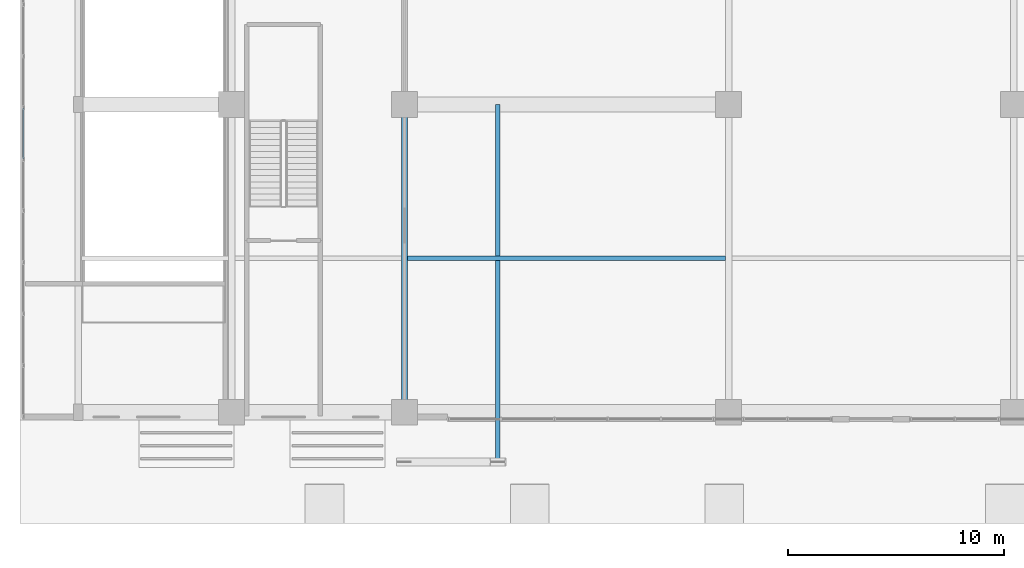
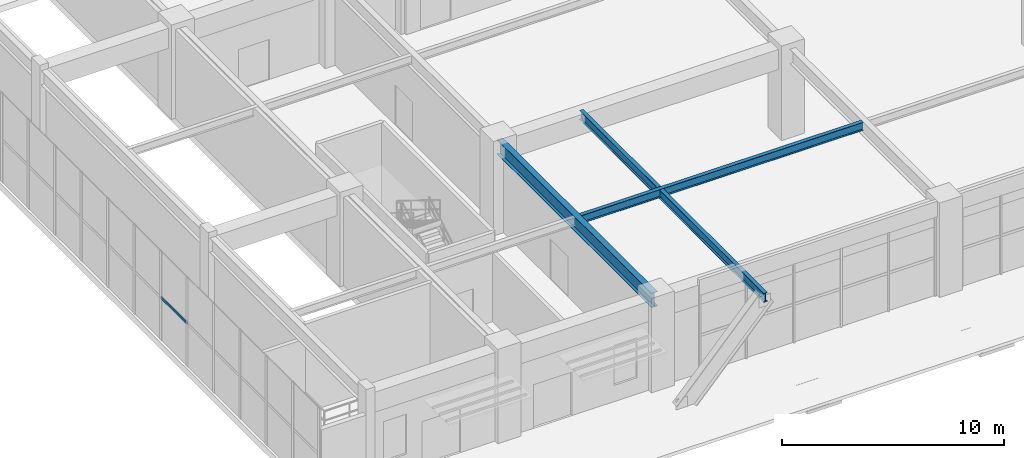
# One storey, part 7 of 40: 3 beams, 1 member, 1 element without a shape of its own.
"""IFC4 building model written with IfcOpenShell, lengths in metres."""

import ifcopenshell
import ifcopenshell.guid

model = None  # the IFC model being written
_history = None  # IfcOwnerHistory: only IFC2X3 demands one
_inside = {}  # id of a spatial element -> (the spatial element, [elements in it])
_under = {}  # id of a project, library or spatial element -> (it, [spatial elements below it])
_declared = {}  # id of a project -> (the project, [libraries it declares])
_typed = {}  # id of a type object -> (the type object, [elements of that type])
_made_of = {}  # id of a material, layer set ... -> (it, [elements and type objects made of it])


def new_model(schema):
    """Start an empty IFC model of exactly this schema.

    Asked for "IFC4X3", IfcOpenShell would pick the latest addendum, in which some entities
    have other attributes; the version numbers below select the first issue.
    IFC2X3 requires an IfcOwnerHistory on every rooted entity: one is made here for all.
    """
    global model, _history
    if schema == "IFC4X3":
        model = ifcopenshell.file(schema_version=(4, 3, 0, 0))
    else:
        model = ifcopenshell.file(schema=schema)
    _inside.clear()
    _under.clear()
    _declared.clear()
    _typed.clear()
    _made_of.clear()
    _history = None
    if model.schema == "IFC2X3":
        org = make("IfcOrganization", Name="unknown")
        user = make(
            "IfcPersonAndOrganization",
            ThePerson=make("IfcPerson", FamilyName="unknown"),
            TheOrganization=org,
        )
        app = make(
            "IfcApplication",
            ApplicationDeveloper=org,
            Version="unknown",
            ApplicationFullName="unknown",
            ApplicationIdentifier="unknown",
        )
        _history = make(
            "IfcOwnerHistory",
            OwningUser=user,
            OwningApplication=app,
            ChangeAction="ADDED",
            CreationDate=0,
        )
    return model


def make(cls, **values):
    """One entity of the class cls with the attributes given. An attribute that is None is left unset."""
    return model.create_entity(
        cls, **{name: value for name, value in values.items() if value is not None}
    )


def rooted(cls, **values):
    """An entity with a GlobalId (a new one), such as an element, a storey or a relation."""
    return make(cls, GlobalId=ifcopenshell.guid.new(), OwnerHistory=_history, **values)


def si_unit(unit_type, name, prefix=None):
    """IfcSIUnit, for example si_unit("LENGTHUNIT", "METRE", prefix="MILLI")."""
    return make("IfcSIUnit", UnitType=unit_type, Prefix=prefix, Name=name)


def assignment(units):
    """IfcUnitAssignment: the units of a project."""
    return None if units is None else make("IfcUnitAssignment", Units=units)


def point(xyz):
    """IfcCartesianPoint."""
    return None if xyz is None else make("IfcCartesianPoint", Coordinates=xyz)


def direction(xyz):
    """IfcDirection."""
    return None if xyz is None else make("IfcDirection", DirectionRatios=xyz)


def frame(location, z_axis=None, x_axis=None):
    """IfcAxis2Placement3D, a coordinate frame: its origin and axes. An axis left out is left unset."""
    return make(
        "IfcAxis2Placement3D",
        Location=point(location),
        Axis=direction(z_axis),
        RefDirection=direction(x_axis),
    )


def frame_2d(location, x_axis=None):
    """IfcAxis2Placement2D, a coordinate frame in the plane: its origin and x axis."""
    return make(
        "IfcAxis2Placement2D", Location=point(location), RefDirection=direction(x_axis)
    )


def origin():
    """The frame at (0, 0, 0) with its axes left unset."""
    return frame((0.0, 0.0, 0.0))


def origin_2d():
    """The frame at (0, 0) in the plane with its x axis left unset."""
    return frame_2d((0.0, 0.0))


def place(relative_to, where):
    """IfcLocalPlacement: puts the frame where relative to a parent placement (None: the world)."""
    return make(
        "IfcLocalPlacement", PlacementRelTo=relative_to, RelativePlacement=where
    )


def context(
    kind, dimensions, precision=None, world=None, true_north=None, identifier=None
):
    """IfcGeometricRepresentationContext, for example the 3D "Model" context."""
    return make(
        "IfcGeometricRepresentationContext",
        ContextIdentifier=identifier,
        ContextType=kind,
        CoordinateSpaceDimension=dimensions,
        Precision=precision,
        WorldCoordinateSystem=world,
        TrueNorth=true_north,
    )


def subcontext(parent, identifier, kind, view, scale=None):
    """IfcGeometricRepresentationSubContext, for example "Body" below "Model"."""
    return make(
        "IfcGeometricRepresentationSubContext",
        ContextIdentifier=identifier,
        ContextType=kind,
        ParentContext=parent,
        TargetScale=scale,
        TargetView=view,
    )


def project(units=None, contexts=None):
    """IfcProject with its units and contexts."""
    return rooted(
        "IfcProject",
        Name="project",
        RepresentationContexts=contexts,
        UnitsInContext=assignment(units),
    )


def spatial(cls, under=None, at=None, **own):
    """A site, building, storey or space (cls), placed at a placement, below another one or the project."""
    s = rooted(cls, ObjectPlacement=at, **own)
    if under is not None:
        _under.setdefault(under.id(), (under, []))[1].append(s)
    return s


def profile(cls, at=None, kind="AREA", **sizes):
    """A parametric profile (cls). Its sizes go by their IFC names, for example OverallWidth=200.0."""
    return make(cls, ProfileType=kind, Position=at, **sizes)


def hollow_rectangle(**sizes):
    """IfcRectangleHollowProfileDef."""
    return profile("IfcRectangleHollowProfileDef", **sizes)


def i_section(**sizes):
    """IfcIShapeProfileDef."""
    return profile("IfcIShapeProfileDef", **sizes)


def extrude(swept, where, along, depth):
    """IfcExtrudedAreaSolid: the profile swept, set in the frame where, extruded along a direction by depth."""
    return make(
        "IfcExtrudedAreaSolid",
        SweptArea=swept,
        Position=where,
        ExtrudedDirection=direction(along),
        Depth=depth,
    )


def shape(context_of_items, identifier, shape_type, items):
    """IfcShapeRepresentation: the items that make up one representation, for example the "Body"."""
    return make(
        "IfcShapeRepresentation",
        ContextOfItems=context_of_items,
        RepresentationIdentifier=identifier,
        RepresentationType=shape_type,
        Items=items,
    )


def source(mapping_origin, context_of_items, identifier, shape_type, items):
    """IfcRepresentationMap: a shape defined once, which mapped items show again and again."""
    return make(
        "IfcRepresentationMap",
        MappingOrigin=mapping_origin,
        MappedRepresentation=shape(context_of_items, identifier, shape_type, items),
    )


def transform(
    local_origin,
    x_axis=None,
    y_axis=None,
    z_axis=None,
    scale=None,
    scale2=None,
    scale3=None,
    uniform=True,
):
    """IfcCartesianTransformationOperator3D, or its non-uniform kind. x_axis, y_axis, z_axis: its Axis1, 2, 3."""
    if uniform:
        return make(
            "IfcCartesianTransformationOperator3D",
            Axis1=direction(x_axis),
            Axis2=direction(y_axis),
            LocalOrigin=point(local_origin),
            Scale=scale,
            Axis3=direction(z_axis),
        )
    return make(
        "IfcCartesianTransformationOperator3DnonUniform",
        Axis1=direction(x_axis),
        Axis2=direction(y_axis),
        LocalOrigin=point(local_origin),
        Scale=scale,
        Axis3=direction(z_axis),
        Scale2=scale2,
        Scale3=scale3,
    )


def mapped(mapping_source, mapping_target):
    """IfcMappedItem: shows the shape of a source again, moved by a transform."""
    return make(
        "IfcMappedItem", MappingSource=mapping_source, MappingTarget=mapping_target
    )


def material(Name=None, Category=None):
    """IfcMaterial."""
    return make("IfcMaterial", Name=Name, Category=Category)


def material_profile(
    of_material, cross_section, Name=None, Category=None, Priority=None
):
    """IfcMaterialProfile: a cross section and its material."""
    return make(
        "IfcMaterialProfile",
        Name=Name,
        Material=of_material,
        Profile=cross_section,
        Priority=Priority,
        Category=Category,
    )


def profile_set(profiles, Name=None, composite=None):
    """IfcMaterialProfileSet."""
    return make(
        "IfcMaterialProfileSet",
        Name=Name,
        MaterialProfiles=profiles,
        CompositeProfile=composite,
    )


def made_of(thing, what):
    """Note that an element or type object is made of a material, layer set ...; save() writes the relation."""
    if what is not None:
        _made_of.setdefault(what.id(), (what, []))[1].append(thing)
    return thing


def type_object(cls, material=None, **own):
    """A type object (cls), such as IfcWallType, which elements share."""
    return made_of(rooted(cls, **own), material)


def element(
    cls,
    number,
    at=None,
    inside=None,
    cuts=None,
    type_object=None,
    material=None,
    context=None,
    identifier="Body",
    shape_type=None,
    held_by="IfcProductDefinitionShape",
    body=None,
    shapes=None,
    **own,
):
    """One element of the class cls, such as IfcWall. Its Tag is "e" and its number.

    at: its placement. inside: the storey or other place that contains it. cuts: it is an
    opening in that element (IfcRelVoidsElement). A single representation is given by context,
    identifier, shape_type and body (its items); several are given by shapes. held_by: the class
    of the entity that holds the representations. save() writes the other relations.
    """
    e = rooted(cls, Tag="e%d" % number, ObjectPlacement=at, **own)
    if body is not None:
        shapes = [shape(context, identifier, shape_type, body)]
    if shapes is not None:
        e.Representation = make(held_by, Representations=shapes)
    if inside is not None:
        _inside.setdefault(inside.id(), (inside, []))[1].append(e)
    if cuts is not None:
        rooted(
            "IfcRelVoidsElement", RelatingBuildingElement=cuts, RelatedOpeningElement=e
        )
    if type_object is not None:
        _typed.setdefault(type_object.id(), (type_object, []))[1].append(e)
    return made_of(e, material)


def aggregate(whole, parts):
    """IfcRelAggregates: a whole, such as a stair, and the parts it consists of."""
    return rooted("IfcRelAggregates", RelatingObject=whole, RelatedObjects=parts)


def save(model, path):
    """Write the relations noted so far, then the file.

    IfcRelAggregates (storeys below a building ...), IfcRelContainedInSpatialStructure (elements
    in a storey), IfcRelDefinesByType, IfcRelAssociatesMaterial and IfcRelDeclares: one each for
    every whole, place, type object, material and project.
    """
    for whole, parts in _under.values():
        aggregate(whole, parts)
    for where, things in _inside.values():
        rooted(
            "IfcRelContainedInSpatialStructure",
            RelatedElements=things,
            RelatingStructure=where,
        )
    for kind, things in _typed.values():
        rooted("IfcRelDefinesByType", RelatedObjects=things, RelatingType=kind)
    for what, things in _made_of.values():
        rooted("IfcRelAssociatesMaterial", RelatedObjects=things, RelatingMaterial=what)
    for by, libraries in _declared.values():
        rooted("IfcRelDeclares", RelatingContext=by, RelatedDefinitions=libraries)
    model.write(path)


model = new_model("IFC4")

# Units and contexts
model_context = context("Model", 3, precision=1e-05, world=origin(), true_north=direction((0.0, 1.0)))
body_context = subcontext(model_context, "Body", "Model", "MODEL_VIEW")
ifc_project = project(units=[si_unit("LENGTHUNIT", "METRE"), si_unit("AREAUNIT", "SQUARE_METRE"), si_unit("VOLUMEUNIT", "CUBIC_METRE"), si_unit("PLANEANGLEUNIT", "RADIAN"), si_unit("MASSUNIT", "GRAM", prefix="KILO")], contexts=[model_context])

# Site, building, storey
site_placement = place(None, origin())
site = spatial("IfcSite", under=ifc_project, at=site_placement, CompositionType="ELEMENT")
building_placement = place(site_placement, origin())
building = spatial("IfcBuilding", under=site, at=building_placement, Name="Trelvane Seafront Commons", CompositionType="ELEMENT")
storey_placement = place(building_placement, origin())
storey = spatial("IfcBuildingStorey", under=building, at=storey_placement, Name="L00", CompositionType="ELEMENT", Elevation=0.0)

# Beams
ifc_material_1 = material(Name="Steel SM355 (S355)", Category="steel")
ifc_material_profile_1 = material_profile(ifc_material_1, i_section(OverallWidth=0.300048828125, OverallDepth=0.800048828125, WebThickness=0.013916015625, FlangeThickness=0.02587890625, at=origin_2d()), Name="H-800x300x14x26")
ifc_profile_set_1 = profile_set([ifc_material_profile_1], Name="Steel SM355 (S355)")
beam_type_1 = type_object("IfcBeamType", Name="STR-BM-H800", PredefinedType="BEAM", material=ifc_profile_set_1)
shared_shape_1 = source(origin(), body_context, "Body", "SweptSolid", [
    extrude(i_section(OverallWidth=0.300048828125, OverallDepth=0.800048828125, WebThickness=0.013916015625, FlangeThickness=0.02587890625, at=origin_2d()), origin(), (0.0, 0.0, 1.0), 13.949951171875),
])
beam_1_placement = place(storey_placement, frame((15.60009765625, 4.10009765625, 4.47998046875), z_axis=(0.0, 1.0, 0.0), x_axis=(-1.0, 0.0, 0.0)))
element("IfcBeam", 1, at=beam_1_placement, inside=storey, type_object=beam_type_1, Name="L00 Primary Girder G-39", PredefinedType="BEAM", context=body_context, shape_type="MappedRepresentation", body=[
    mapped(shared_shape_1, transform((0.0, 0.0, 0.0), x_axis=(1.0, 0.0, 0.0), y_axis=(0.0, 1.0, 0.0), z_axis=(0.0, 0.0, 1.0), scale=1.0)),
])
ifc_material_profile_2 = material_profile(ifc_material_1, i_section(OverallWidth=0.199951171875, OverallDepth=0.449951171875, WebThickness=0.009033203125, FlangeThickness=0.013916015625, at=origin_2d()), Name="H-450x200x9x14")
ifc_profile_set_2 = profile_set([ifc_material_profile_2], Name="Steel SM355 (S355)")
beam_type_2 = type_object("IfcBeamType", Name="STR-JST-H450", PredefinedType="JOIST", material=ifc_profile_set_2)
shared_shape_2 = source(origin(), body_context, "Body", "SweptSolid", [
    extrude(i_section(OverallWidth=0.199951171875, OverallDepth=0.449951171875, WebThickness=0.009033203125, FlangeThickness=0.013916015625, at=origin_2d()), origin(), (0.0, 0.0, 1.0), 14.699951171875),
])
beam_2_placement = place(storey_placement, frame((15.75, 11.074951171875, 4.655029296875), z_axis=(1.0, 0.0, 0.0), x_axis=(0.0, 1.0, 0.0)))
element("IfcBeam", 2, at=beam_2_placement, inside=storey, type_object=beam_type_2, Name="L00 Secondary Floor Joist B-61", PredefinedType="JOIST", context=body_context, shape_type="MappedRepresentation", body=[
    mapped(shared_shape_2, transform((0.0, 0.0, 0.0), x_axis=(1.0, 0.0, 0.0), y_axis=(0.0, 1.0, 0.0), z_axis=(0.0, 0.0, 1.0), scale=1.0)),
])
ifc_material_profile_3 = material_profile(ifc_material_1, i_section(OverallWidth=0.199951171875, OverallDepth=0.5, WebThickness=0.010009765625, FlangeThickness=0.01611328125, at=origin_2d()), Name="H-500x200x10x16")
ifc_profile_set_3 = profile_set([ifc_material_profile_3], Name="Steel SM355 (S355)")
beam_type_3 = type_object("IfcBeamType", Name="STR-BM-H500", PredefinedType="BEAM", material=ifc_profile_set_3)
shared_shape_3 = source(origin(), body_context, "Body", "SweptSolid", [
    extrude(i_section(OverallWidth=0.199951171875, OverallDepth=0.5, WebThickness=0.010009765625, FlangeThickness=0.01611328125, at=origin_2d()), origin(), (0.0, 0.0, 1.0), 16.64990234375),
])
beam_3_placement = place(storey_placement, frame((19.919921875, 18.199951171875, 4.6298828125), z_axis=(0.0, -1.0, 0.0), x_axis=(1.0, 0.0, 0.0)))
element("IfcBeam", 3, at=beam_3_placement, inside=storey, type_object=beam_type_3, Name="L00 Inverted-V Portal Tie Cantilever Girder G-73", PredefinedType="BEAM", context=body_context, shape_type="MappedRepresentation", body=[
    mapped(shared_shape_3, transform((0.0, 0.0, 0.0), x_axis=(1.0, 0.0, 0.0), y_axis=(0.0, 1.0, 0.0), z_axis=(0.0, 0.0, 1.0), scale=1.0)),
])

# Curtain wall, member
ifc_material_2 = material(Name="Anodised pale-silver aluminium", Category="aluminium")
curtain_wall_type = type_object("IfcCurtainWallType", Name="ARCH-CW4-SKYLOBBY", PredefinedType="NOTDEFINED", material=ifc_material_2)
curtain_wall_placement = place(storey_placement, origin())
curtain_wall = element("IfcCurtainWall", 4, at=curtain_wall_placement, inside=storey, type_object=curtain_wall_type, Name="CW-L00-0006", PredefinedType="NOTDEFINED")
ifc_material_profile_4 = material_profile(ifc_material_2, hollow_rectangle(XDim=0.074951171875, YDim=0.139892578125, WallThickness=0.00390625, at=origin_2d()), Name="TRAN-75x140x4")
ifc_profile_set_4 = profile_set([ifc_material_profile_4], Name="Anodised pale-silver aluminium")
member_type = type_object("IfcMemberType", Name="ARCH-CW-TRAN-140", PredefinedType="USERDEFINED", material=ifc_profile_set_4)
shared_shape_4 = source(origin(), body_context, "Body", "SweptSolid", [
    extrude(hollow_rectangle(XDim=0.074951171875, YDim=0.139892578125, WallThickness=0.00390625, at=origin_2d()), origin(), (0.0, 0.0, 1.0), 2.363037109375),
])
member_placement = place(storey_placement, frame((-2.050048828125, 15.677001953125, 2.342041015625), z_axis=(0.0, 1.0, 0.0), x_axis=(-1.0, 0.0, 0.0)))
member = element("IfcMember", 5, at=member_placement, type_object=member_type, Name="CW-L00-0006-T05", ObjectType="TRANSOM", PredefinedType="USERDEFINED", context=body_context, shape_type="MappedRepresentation", body=[
    mapped(shared_shape_4, transform((0.0, 0.0, 0.0), x_axis=(1.0, 0.0, 0.0), y_axis=(0.0, 1.0, 0.0), z_axis=(0.0, 0.0, 1.0), scale=1.0)),
])
aggregate(curtain_wall, [member])

save(model, "model.ifc")
